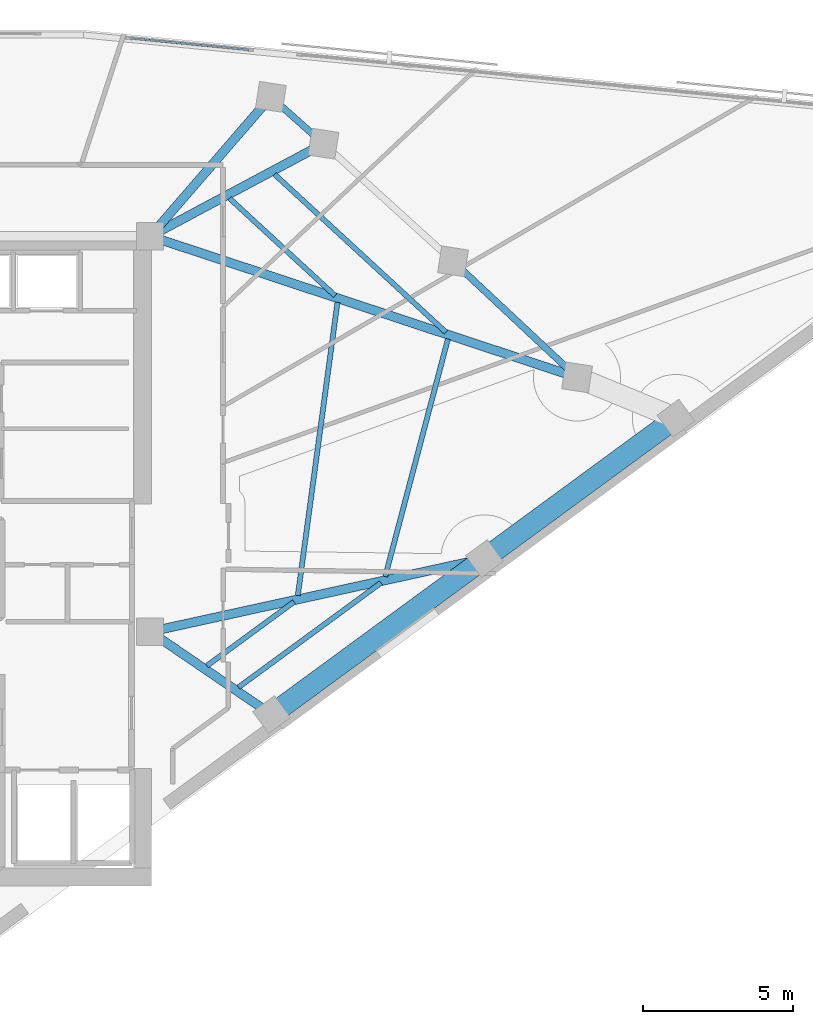
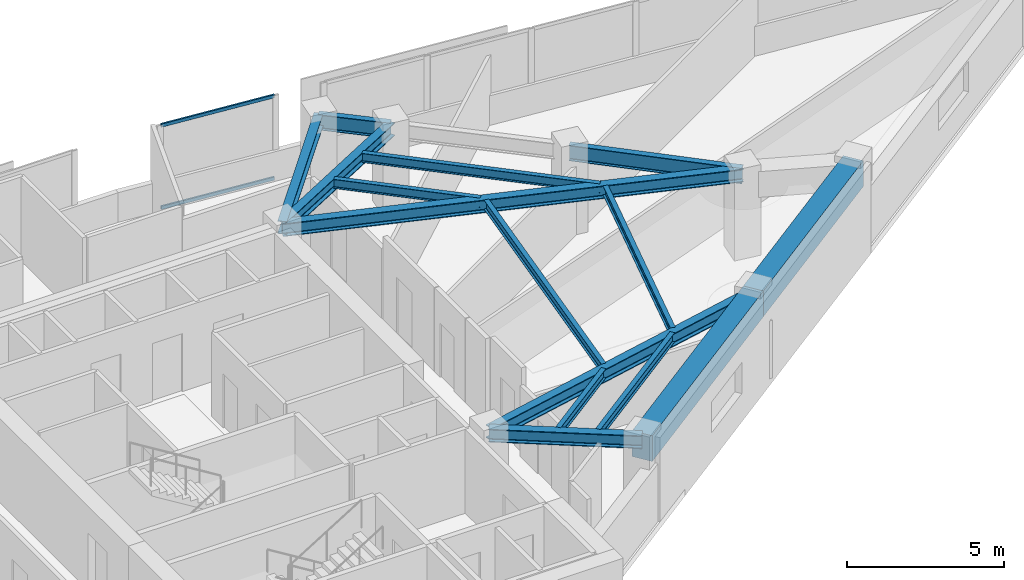
# One storey, part 4 of 14: 15 beams, 2 members, 1 element without a shape of its own.
"""IFC4 building model written with IfcOpenShell, lengths in metres."""

from ifc_helpers import new_model, si_unit, direction, frame, origin, origin_2d, place, context, subcontext, project, spatial, rectangle, hollow_rectangle, i_section, extrude, material, material_profile, profile_set, type_object, element, aggregate, save


model = new_model("IFC4")

# Units and contexts
model_context = context("Model", 3, precision=1e-05, world=origin(), true_north=direction((0.0, 1.0)))
body_context = subcontext(model_context, "Body", "Model", "MODEL_VIEW")
ifc_project = project(units=[si_unit("LENGTHUNIT", "METRE"), si_unit("AREAUNIT", "SQUARE_METRE"), si_unit("VOLUMEUNIT", "CUBIC_METRE"), si_unit("PLANEANGLEUNIT", "RADIAN"), si_unit("MASSUNIT", "GRAM", prefix="KILO")], contexts=[model_context])

# Site, building, storey
site_placement = place(None, origin())
site = spatial("IfcSite", under=ifc_project, at=site_placement, CompositionType="ELEMENT")
building_placement = place(site_placement, origin())
building = spatial("IfcBuilding", under=site, at=building_placement, Name="Narakoshi Arena Tower", CompositionType="ELEMENT")
storey_placement = place(building_placement, frame((0.0, 0.0, 250.179931640625)))
storey = spatial("IfcBuildingStorey", under=building, at=storey_placement, Name="L68", CompositionType="ELEMENT", Elevation=250.179931640625)

# Beams
ifc_material_1 = material(Name="Concrete C60/75", Category="concrete")
ifc_material_profile_1 = material_profile(ifc_material_1, rectangle(XDim=0.699951171875, YDim=1.0, at=origin_2d()), Name="RCB700x1000")
ifc_profile_set_1 = profile_set([ifc_material_profile_1], Name="Concrete C60/75")
beam_type_1 = type_object("IfcBeamType", Name="BM-CPL-1000", PredefinedType="BEAM", material=ifc_profile_set_1)
beam_1_placement = place(storey_placement, frame((89.58642578125, 40.594482421875, 2.760009765625), z_axis=(0.806446564509, 0.591306974922, 0.0), x_axis=(-0.591306974922, 0.806446564509, 0.0)))
element("IfcBeam", 1, at=beam_1_placement, inside=storey, type_object=beam_type_1, Name="L68 Perimeter Edge Girder 01", PredefinedType="BEAM", context=body_context, shape_type="SweptSolid", body=[
    extrude(rectangle(XDim=0.699951171875, YDim=1.0, at=origin_2d()), origin(), (0.0, 0.0, 1.0), 8.775390625),
])
beam_2_placement = place(storey_placement, frame((96.663330078125, 45.783447265625, 2.760009765625), z_axis=(0.806437425649, 0.59131943864, 0.0), x_axis=(-0.59131943864, 0.806437425649, 0.0)))
element("IfcBeam", 2, at=beam_2_placement, inside=storey, type_object=beam_type_1, Name="L68 Perimeter Edge Girder 02", PredefinedType="BEAM", context=body_context, shape_type="SweptSolid", body=[
    extrude(rectangle(XDim=0.699951171875, YDim=1.0, at=origin_2d()), origin(), (0.0, 0.0, 1.0), 7.89794921875),
])
ifc_material_2 = material(Name="Structural steel S355J2", Category="steel")
ifc_material_profile_2 = material_profile(ifc_material_2, i_section(OverallWidth=0.219970703125, OverallDepth=0.60009765625, WebThickness=0.011962890625, FlangeThickness=0.01904296875, FilletRadius=0.02392578125, at=origin_2d()), Name="IPE600")
ifc_profile_set_2 = profile_set([ifc_material_profile_2], Name="Structural steel S355J2")
beam_type_2 = type_object("IfcBeamType", Name="BM-EDGE-600", PredefinedType="BEAM", material=ifc_profile_set_2)
beam_3_placement = place(storey_placement, frame((99.74267578125, 51.80712890625, 2.9599609375), z_axis=(-0.730193480459, 0.683240427006, 0.0), x_axis=(-0.683240427006, -0.730193480459, 0.0)))
element("IfcBeam", 3, at=beam_3_placement, inside=storey, type_object=beam_type_2, Name="L68 Perimeter Edge Girder 04", PredefinedType="BEAM", context=body_context, shape_type="SweptSolid", body=[
    extrude(i_section(OverallWidth=0.219970703125, OverallDepth=0.60009765625, WebThickness=0.011962890625, FlangeThickness=0.01904296875, FilletRadius=0.02392578125, at=origin_2d()), origin(), (0.0, 0.0, 1.0), 5.646728515625),
])
beam_4_placement = place(storey_placement, frame((91.311279296875, 59.576416015625, 2.9599609375), z_axis=(-0.746770864852, 0.665081405099, 0.0), x_axis=(-0.665081405099, -0.746770864852, 0.0)))
element("IfcBeam", 4, at=beam_4_placement, inside=storey, type_object=beam_type_2, Name="L68 Perimeter Edge Girder 06", PredefinedType="BEAM", context=body_context, shape_type="SweptSolid", body=[
    extrude(i_section(OverallWidth=0.219970703125, OverallDepth=0.60009765625, WebThickness=0.011962890625, FlangeThickness=0.01904296875, FilletRadius=0.02392578125, at=origin_2d()), origin(), (0.0, 0.0, 1.0), 2.343017578125),
])
ifc_material_profile_3 = material_profile(ifc_material_2, i_section(OverallWidth=0.300048828125, OverallDepth=0.5, WebThickness=0.014404296875, FlangeThickness=0.028076171875, FilletRadius=0.027099609375, at=origin_2d()), Name="HE500B")
ifc_profile_set_3 = profile_set([ifc_material_profile_3], Name="Structural steel S355J2")
beam_type_3 = type_object("IfcBeamType", Name="BM-PRI-500", PredefinedType="BEAM", material=ifc_profile_set_3)
beam_5_placement = place(storey_placement, frame((85.550048828125, 43.35009765625, 3.010009765625), z_axis=(0.825890057955, -0.563831191201, 0.0), x_axis=(0.563831191201, 0.825890057955, 0.0)))
element("IfcBeam", 5, at=beam_5_placement, inside=storey, type_object=beam_type_3, Name="L68 Radial Primary Floor Girder 01", PredefinedType="BEAM", context=body_context, shape_type="SweptSolid", body=[
    extrude(i_section(OverallWidth=0.300048828125, OverallDepth=0.5, WebThickness=0.014404296875, FlangeThickness=0.028076171875, FilletRadius=0.027099609375, at=origin_2d()), origin(), (0.0, 0.0, 1.0), 4.88720703125),
])
beam_6_placement = place(storey_placement, frame((85.550048828125, 43.35009765625, 3.010009765625), z_axis=(0.976857438099, 0.213891434216, 0.0), x_axis=(-0.213891434216, 0.976857438099, 0.0)))
element("IfcBeam", 6, at=beam_6_placement, inside=storey, type_object=beam_type_3, Name="L68 Radial Primary Floor Girder 02", PredefinedType="BEAM", context=body_context, shape_type="SweptSolid", body=[
    extrude(i_section(OverallWidth=0.300048828125, OverallDepth=0.5, WebThickness=0.014404296875, FlangeThickness=0.028076171875, FilletRadius=0.027099609375, at=origin_2d()), origin(), (0.0, 0.0, 1.0), 11.37646484375),
])
beam_7_placement = place(storey_placement, frame((85.550048828125, 56.5, 3.010009765625), z_axis=(0.949443255158, -0.31393869662, 0.0), x_axis=(0.31393869662, 0.949443255158, 0.0)))
element("IfcBeam", 7, at=beam_7_placement, inside=storey, type_object=beam_type_3, Name="L68 Radial Primary Floor Girder 04", PredefinedType="BEAM", context=body_context, shape_type="SweptSolid", body=[
    extrude(i_section(OverallWidth=0.300048828125, OverallDepth=0.5, WebThickness=0.014404296875, FlangeThickness=0.028076171875, FilletRadius=0.027099609375, at=origin_2d()), origin(), (0.0, 0.0, 1.0), 14.948486328125),
])
beam_8_placement = place(storey_placement, frame((85.550048828125, 56.5, 3.010009765625), z_axis=(0.882113796729, 0.471036357004, 0.0), x_axis=(-0.471036357004, 0.882113796729, 0.0)))
element("IfcBeam", 8, at=beam_8_placement, inside=storey, type_object=beam_type_3, Name="L68 Radial Primary Floor Girder 06", PredefinedType="BEAM", context=body_context, shape_type="SweptSolid", body=[
    extrude(i_section(OverallWidth=0.300048828125, OverallDepth=0.5, WebThickness=0.014404296875, FlangeThickness=0.028076171875, FilletRadius=0.027099609375, at=origin_2d()), origin(), (0.0, 0.0, 1.0), 6.53125),
])
beam_9_placement = place(storey_placement, frame((85.550048828125, 56.5, 3.010009765625), z_axis=(0.654434553487, 0.756118651537, 0.0), x_axis=(-0.756118651537, 0.654434553487, 0.0)))
element("IfcBeam", 9, at=beam_9_placement, inside=storey, type_object=beam_type_3, Name="L68 Radial Primary Floor Girder 07", PredefinedType="BEAM", context=body_context, shape_type="SweptSolid", body=[
    extrude(i_section(OverallWidth=0.300048828125, OverallDepth=0.5, WebThickness=0.014404296875, FlangeThickness=0.028076171875, FilletRadius=0.027099609375, at=origin_2d()), origin(), (0.0, 0.0, 1.0), 6.129638671875),
])
ifc_material_profile_4 = material_profile(ifc_material_2, i_section(OverallWidth=0.169921875, OverallDepth=0.360107421875, WebThickness=0.008056640625, FlangeThickness=0.0126953125, FilletRadius=0.01806640625, at=origin_2d()), Name="IPE360")
ifc_profile_set_4 = profile_set([ifc_material_profile_4], Name="Structural steel S355J2")
beam_type_4 = type_object("IfcBeamType", Name="BM-SEC-360", PredefinedType="JOIST", material=ifc_profile_set_4)
beam_10_placement = place(storey_placement, frame((87.434814453125, 42.21728515625, 3.080078125), z_axis=(0.806454701417, 0.591295877343, 0.0), x_axis=(-0.591295877343, 0.806454701417, 0.0)))
element("IfcBeam", 10, at=beam_10_placement, inside=storey, type_object=beam_type_4, Name="L68 Composite Secondary Floor Joist 01", PredefinedType="JOIST", context=body_context, shape_type="SweptSolid", body=[
    extrude(i_section(OverallWidth=0.169921875, OverallDepth=0.360107421875, WebThickness=0.008056640625, FlangeThickness=0.0126953125, FilletRadius=0.01806640625, at=origin_2d()), origin(), (0.0, 0.0, 1.0), 3.59130859375),
])
beam_11_placement = place(storey_placement, frame((88.484375, 41.5009765625, 3.080078125), z_axis=(0.806443321538, 0.591311397781, 0.0), x_axis=(-0.591311397781, 0.806443321538, 0.0)))
element("IfcBeam", 11, at=beam_11_placement, inside=storey, type_object=beam_type_4, Name="L68 Composite Secondary Floor Joist 02", PredefinedType="JOIST", context=body_context, shape_type="SweptSolid", body=[
    extrude(i_section(OverallWidth=0.169921875, OverallDepth=0.360107421875, WebThickness=0.008056640625, FlangeThickness=0.0126953125, FilletRadius=0.01806640625, at=origin_2d()), origin(), (0.0, 0.0, 1.0), 5.872802734375),
])
beam_12_placement = place(storey_placement, frame((90.4580078125, 44.554443359375, 3.080078125), z_axis=(0.134064156179, 0.990972654531, 0.0), x_axis=(-0.990972654531, 0.134064156179, 0.0)))
element("IfcBeam", 12, at=beam_12_placement, inside=storey, type_object=beam_type_4, Name="L68 Composite Secondary Floor Joist 03", PredefinedType="JOIST", context=body_context, shape_type="SweptSolid", body=[
    extrude(i_section(OverallWidth=0.169921875, OverallDepth=0.360107421875, WebThickness=0.008056640625, FlangeThickness=0.0126953125, FilletRadius=0.01806640625, at=origin_2d()), origin(), (0.0, 0.0, 1.0), 9.835693359375),
])
beam_13_placement = place(storey_placement, frame((93.364013671875, 45.18408203125, 3.080078125), z_axis=(0.255309441517, 0.966859394675, 0.0), x_axis=(-0.966859394675, 0.255309441517, 0.0)))
element("IfcBeam", 13, at=beam_13_placement, inside=storey, type_object=beam_type_4, Name="L68 Composite Secondary Floor Joist 04", PredefinedType="JOIST", context=body_context, shape_type="SweptSolid", body=[
    extrude(i_section(OverallWidth=0.169921875, OverallDepth=0.360107421875, WebThickness=0.008056640625, FlangeThickness=0.0126953125, FilletRadius=0.01806640625, at=origin_2d()), origin(), (0.0, 0.0, 1.0), 8.171142578125),
])
beam_14_placement = place(storey_placement, frame((91.695556640625, 54.526611328125, 3.080078125), z_axis=(-0.735404955646, 0.677627885503, 0.0), x_axis=(-0.677627885503, -0.735404955646, 0.0)))
element("IfcBeam", 14, at=beam_14_placement, inside=storey, type_object=beam_type_4, Name="L68 Composite Secondary Floor Joist 05", PredefinedType="JOIST", context=body_context, shape_type="SweptSolid", body=[
    extrude(i_section(OverallWidth=0.169921875, OverallDepth=0.360107421875, WebThickness=0.008056640625, FlangeThickness=0.0126953125, FilletRadius=0.01806640625, at=origin_2d()), origin(), (0.0, 0.0, 1.0), 4.77490234375),
])
beam_15_placement = place(storey_placement, frame((95.385498046875, 53.306396484375, 3.080078125), z_axis=(-0.735383678615, 0.677650975966, 0.0), x_axis=(-0.677650975966, -0.735383678615, 0.0)))
element("IfcBeam", 15, at=beam_15_placement, inside=storey, type_object=beam_type_4, Name="L68 Composite Secondary Floor Joist 06", PredefinedType="JOIST", context=body_context, shape_type="SweptSolid", body=[
    extrude(i_section(OverallWidth=0.169921875, OverallDepth=0.360107421875, WebThickness=0.008056640625, FlangeThickness=0.0126953125, FilletRadius=0.01806640625, at=origin_2d()), origin(), (0.0, 0.0, 1.0), 7.755615234375),
])

# Curtain wall, members
ifc_material_3 = material(Name="Anodised bronze aluminium 6063-T6", Category="aluminium")
curtain_wall_type = type_object("IfcCurtainWallType", Name="CW-HYP-HIGH", PredefinedType="NOTDEFINED", material=ifc_material_3)
curtain_wall_placement = place(storey_placement, origin())
curtain_wall = element("IfcCurtainWall", 16, at=curtain_wall_placement, inside=storey, type_object=curtain_wall_type, Name="L68 Folded Hypotenuse Curtain Wall 1-2", PredefinedType="NOTDEFINED")
ifc_material_profile_5 = material_profile(ifc_material_3, hollow_rectangle(XDim=0.06494140625, YDim=0.1298828125, WallThickness=0.00390625, OuterFilletRadius=0.0048828125, at=origin_2d()), Name="TRN130x65x4")
ifc_profile_set_5 = profile_set([ifc_material_profile_5], Name="Anodised bronze aluminium 6063-T6")
member_type = type_object("IfcMemberType", Name="MEM-TRN-130", PredefinedType="USERDEFINED", material=ifc_profile_set_5)
member_1_placement = place(storey_placement, frame((88.830810546875, 62.69775390625, 0.032470703125), z_axis=(-0.995301216231, 0.096827108647, 0.0), x_axis=(-0.096827108647, -0.995301216231, 0.0)))
member_1 = element("IfcMember", 17, at=member_1_placement, type_object=member_type, Name="CW-03 transom 1.1", ObjectType="TRANSOM", PredefinedType="USERDEFINED", context=body_context, shape_type="SweptSolid", body=[
    extrude(hollow_rectangle(XDim=0.06494140625, YDim=0.1298828125, WallThickness=0.00390625, OuterFilletRadius=0.0048828125, at=origin_2d()), origin(), (0.0, 0.0, 1.0), 3.9560546875),
])
member_2_placement = place(storey_placement, frame((88.830810546875, 62.69775390625, 3.2275390625), z_axis=(-0.995301216231, 0.096827108647, 0.0), x_axis=(-0.096827108647, -0.995301216231, 0.0)))
member_2 = element("IfcMember", 18, at=member_2_placement, type_object=member_type, Name="CW-03 transom 1.2", ObjectType="TRANSOM", PredefinedType="USERDEFINED", context=body_context, shape_type="SweptSolid", body=[
    extrude(hollow_rectangle(XDim=0.06494140625, YDim=0.1298828125, WallThickness=0.00390625, OuterFilletRadius=0.0048828125, at=origin_2d()), origin(), (0.0, 0.0, 1.0), 3.9560546875),
])
aggregate(curtain_wall, [member_1, member_2])

save(model, "model.ifc")
